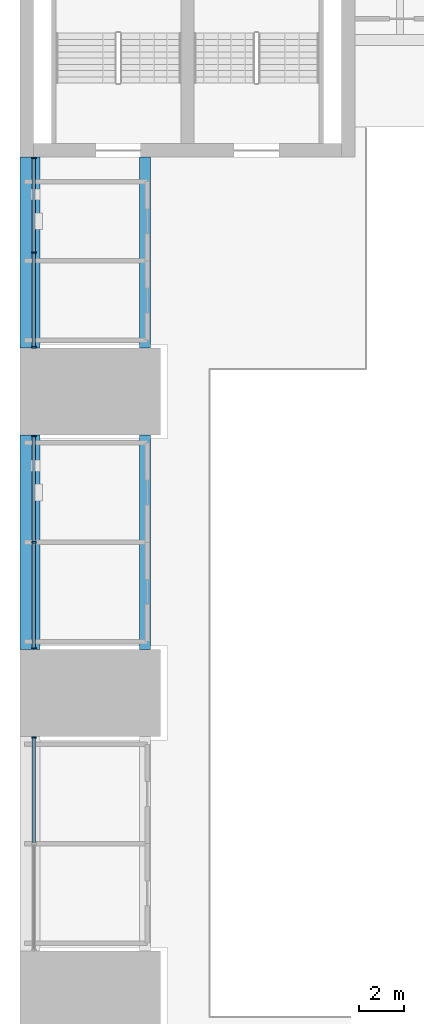
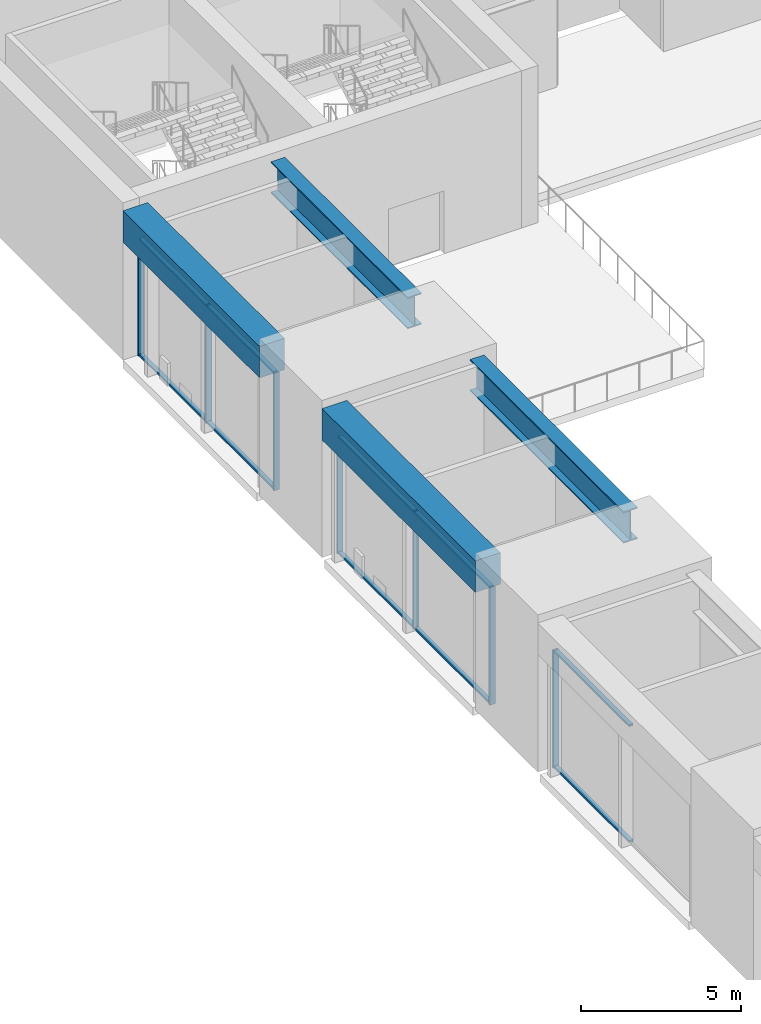
# One storey, part 5 of 41: 17 members, 4 beams, 3 elements without a shape of their own.
"""IFC4 building model written with IfcOpenShell, lengths in metres."""

from ifc_helpers import new_model, si_unit, direction, frame, origin, origin_2d, place, context, subcontext, project, spatial, rectangle, i_section, extrude, material, layer, layer_set, material_profile, profile_set, type_object, element, aggregate, save


model = new_model("IFC4")

# Units and contexts
model_context = context("Model", 3, precision=1e-05, world=origin(), true_north=direction((0.0, 1.0)))
body_context = subcontext(model_context, "Body", "Model", "MODEL_VIEW")
ifc_project = project(units=[si_unit("LENGTHUNIT", "METRE"), si_unit("AREAUNIT", "SQUARE_METRE"), si_unit("VOLUMEUNIT", "CUBIC_METRE"), si_unit("PLANEANGLEUNIT", "RADIAN"), si_unit("MASSUNIT", "GRAM", prefix="KILO")], contexts=[model_context])

# Site, building, storey
site_placement = place(None, origin())
site = spatial("IfcSite", under=ifc_project, at=site_placement, CompositionType="ELEMENT")
building_placement = place(site_placement, origin())
building = spatial("IfcBuilding", under=site, at=building_placement, Name="Corbelhall Arena Tower", CompositionType="ELEMENT")
storey_placement = place(building_placement, frame((0.0, 0.0, 19.0)))
storey = spatial("IfcBuildingStorey", under=building, at=storey_placement, Name="L02", CompositionType="ELEMENT", Elevation=19.0)

# Curtain wall, members
ifc_material_1 = material(Name="Aluminium black anodised", Category="aluminium")
ifc_layer = layer(ifc_material_1, 0.239990234375)
ifc_layer_set = layer_set([ifc_layer], Name="EV-CW4 Arena concourse glazing")
curtain_wall_type = type_object("IfcCurtainWallType", Name="EV-CW4 Arena concourse glazing", PredefinedType="NOTDEFINED", material=ifc_layer_set)
curtain_wall_1_placement = place(storey_placement, origin())
curtain_wall_1 = element("IfcCurtainWall", 1, at=curtain_wall_1_placement, inside=storey, type_object=curtain_wall_type, Name="Curtain wall CW4B", PredefinedType="NOTDEFINED")
ifc_material_profile_1 = material_profile(ifc_material_1, rectangle(XDim=0.199951171875, YDim=0.074951171875, at=origin_2d()))
ifc_profile_set_1 = profile_set([ifc_material_profile_1], Name="Aluminium black anodised")
member_type_1 = type_object("IfcMemberType", Name="EV-CW4-MULLION", PredefinedType="MULLION", material=ifc_profile_set_1)
member_1_placement = place(storey_placement, frame((-47.3798828125, 23.96240234375, 0.0), z_axis=(0.0, 0.0, 1.0), x_axis=(1.0, 0.0, 0.0)))
member_1 = element("IfcMember", 2, at=member_1_placement, type_object=member_type_1, Name="CW4B mullion 1", PredefinedType="MULLION", context=body_context, shape_type="SweptSolid", body=[
    extrude(rectangle(XDim=0.199951171875, YDim=0.074951171875, at=origin_2d()), origin(), (0.0, 0.0, 1.0), 4.5),
])
member_2_placement = place(storey_placement, frame((-47.3798828125, 19.72509765625, 0.0), z_axis=(0.0, 0.0, 1.0), x_axis=(1.0, 0.0, 0.0)))
member_2 = element("IfcMember", 3, at=member_2_placement, type_object=member_type_1, Name="CW4B mullion 2", PredefinedType="MULLION", context=body_context, shape_type="SweptSolid", body=[
    extrude(rectangle(XDim=0.199951171875, YDim=0.074951171875, at=origin_2d()), origin(), (0.0, 0.0, 1.0), 4.5),
])
member_3_placement = place(storey_placement, frame((-47.3798828125, 15.487548828125, 0.0), z_axis=(0.0, 0.0, 1.0), x_axis=(1.0, 0.0, 0.0)))
member_3 = element("IfcMember", 4, at=member_3_placement, type_object=member_type_1, Name="CW4B mullion 3", PredefinedType="MULLION", context=body_context, shape_type="SweptSolid", body=[
    extrude(rectangle(XDim=0.199951171875, YDim=0.074951171875, at=origin_2d()), origin(), (0.0, 0.0, 1.0), 4.5),
])

curtain_wall_2_placement = place(storey_placement, origin())
curtain_wall_2 = element("IfcCurtainWall", 5, at=curtain_wall_2_placement, inside=storey, type_object=curtain_wall_type, Name="Curtain wall CW4", PredefinedType="NOTDEFINED")
member_4_placement = place(storey_placement, frame((-47.3798828125, 11.512451171875, 0.0), z_axis=(0.0, 0.0, 1.0), x_axis=(1.0, 0.0, 0.0)))
member_4 = element("IfcMember", 6, at=member_4_placement, type_object=member_type_1, Name="CW4 mullion 1", PredefinedType="MULLION", context=body_context, shape_type="SweptSolid", body=[
    extrude(rectangle(XDim=0.199951171875, YDim=0.074951171875, at=origin_2d()), origin(), (0.0, 0.0, 1.0), 4.5),
])
member_5_placement = place(storey_placement, frame((-47.3798828125, 6.75, 0.0), z_axis=(0.0, 0.0, 1.0), x_axis=(1.0, 0.0, 0.0)))
member_5 = element("IfcMember", 7, at=member_5_placement, type_object=member_type_1, Name="CW4 mullion 2", PredefinedType="MULLION", context=body_context, shape_type="SweptSolid", body=[
    extrude(rectangle(XDim=0.199951171875, YDim=0.074951171875, at=origin_2d()), origin(), (0.0, 0.0, 1.0), 4.5),
])
member_6_placement = place(storey_placement, frame((-47.3798828125, 1.987548828125, 0.0), z_axis=(0.0, 0.0, 1.0), x_axis=(1.0, 0.0, 0.0)))
member_6 = element("IfcMember", 8, at=member_6_placement, type_object=member_type_1, Name="CW4 mullion 3", PredefinedType="MULLION", context=body_context, shape_type="SweptSolid", body=[
    extrude(rectangle(XDim=0.199951171875, YDim=0.074951171875, at=origin_2d()), origin(), (0.0, 0.0, 1.0), 4.5),
])

# Curtain wall, member
curtain_wall_3_placement = place(storey_placement, origin())
curtain_wall_3 = element("IfcCurtainWall", 9, at=curtain_wall_3_placement, inside=storey, type_object=curtain_wall_type, Name="Curtain wall CW4", PredefinedType="NOTDEFINED")
member_7_placement = place(storey_placement, frame((-47.3798828125, -1.987548828125, 0.0), z_axis=(0.0, 0.0, 1.0), x_axis=(1.0, 0.0, 0.0)))
member_7 = element("IfcMember", 10, at=member_7_placement, type_object=member_type_1, Name="CW4 mullion 1", PredefinedType="MULLION", context=body_context, shape_type="SweptSolid", body=[
    extrude(rectangle(XDim=0.199951171875, YDim=0.074951171875, at=origin_2d()), origin(), (0.0, 0.0, 1.0), 4.5),
])

# Member
ifc_material_profile_2 = material_profile(ifc_material_1, rectangle(XDim=0.14990234375, YDim=0.074951171875, at=origin_2d()))
ifc_profile_set_2 = profile_set([ifc_material_profile_2], Name="Aluminium black anodised")
member_type_2 = type_object("IfcMemberType", Name="EV-CW4-TRANSOM", PredefinedType="USERDEFINED", material=ifc_profile_set_2)
member_8_placement = place(storey_placement, frame((-47.3798828125, 23.925048828125, 0.03759765625), z_axis=(0.0, -1.0, 0.0), x_axis=(1.0, 0.0, 0.0)))
member_8 = element("IfcMember", 11, at=member_8_placement, type_object=member_type_2, Name="CW4B transom 1.1", ObjectType="transom", PredefinedType="USERDEFINED", context=body_context, shape_type="SweptSolid", body=[
    extrude(rectangle(XDim=0.14990234375, YDim=0.074951171875, at=origin_2d()), origin(), (0.0, 0.0, 1.0), 4.16259765625),
])

member_9_placement = place(storey_placement, frame((-47.3798828125, 23.925048828125, 4.46240234375), z_axis=(0.0, -1.0, 0.0), x_axis=(1.0, 0.0, 0.0)))
member_9 = element("IfcMember", 12, at=member_9_placement, type_object=member_type_2, Name="CW4B transom 1.2", ObjectType="transom", PredefinedType="USERDEFINED", context=body_context, shape_type="SweptSolid", body=[
    extrude(rectangle(XDim=0.14990234375, YDim=0.074951171875, at=origin_2d()), origin(), (0.0, 0.0, 1.0), 4.16259765625),
])

member_10_placement = place(storey_placement, frame((-47.3798828125, 19.6875, 0.03759765625), z_axis=(0.0, -1.0, 0.0), x_axis=(1.0, 0.0, 0.0)))
member_10 = element("IfcMember", 13, at=member_10_placement, type_object=member_type_2, Name="CW4B transom 2.1", ObjectType="transom", PredefinedType="USERDEFINED", context=body_context, shape_type="SweptSolid", body=[
    extrude(rectangle(XDim=0.14990234375, YDim=0.074951171875, at=origin_2d()), origin(), (0.0, 0.0, 1.0), 4.16259765625),
])

member_11_placement = place(storey_placement, frame((-47.3798828125, 19.6875, 4.46240234375), z_axis=(0.0, -1.0, 0.0), x_axis=(1.0, 0.0, 0.0)))
member_11 = element("IfcMember", 14, at=member_11_placement, type_object=member_type_2, Name="CW4B transom 2.2", ObjectType="transom", PredefinedType="USERDEFINED", context=body_context, shape_type="SweptSolid", body=[
    extrude(rectangle(XDim=0.14990234375, YDim=0.074951171875, at=origin_2d()), origin(), (0.0, 0.0, 1.0), 4.16259765625),
])

aggregate(curtain_wall_1, [member_1, member_2, member_3, member_8, member_9, member_10, member_11])

member_12_placement = place(storey_placement, frame((-47.3798828125, 11.47509765625, 0.03759765625), z_axis=(0.0, -1.0, 0.0), x_axis=(1.0, 0.0, 0.0)))
member_12 = element("IfcMember", 15, at=member_12_placement, type_object=member_type_2, Name="CW4 transom 1.1", ObjectType="transom", PredefinedType="USERDEFINED", context=body_context, shape_type="SweptSolid", body=[
    extrude(rectangle(XDim=0.14990234375, YDim=0.074951171875, at=origin_2d()), origin(), (0.0, 0.0, 1.0), 4.6875),
])

member_13_placement = place(storey_placement, frame((-47.3798828125, 11.47509765625, 4.46240234375), z_axis=(0.0, -1.0, 0.0), x_axis=(1.0, 0.0, 0.0)))
member_13 = element("IfcMember", 16, at=member_13_placement, type_object=member_type_2, Name="CW4 transom 1.2", ObjectType="transom", PredefinedType="USERDEFINED", context=body_context, shape_type="SweptSolid", body=[
    extrude(rectangle(XDim=0.14990234375, YDim=0.074951171875, at=origin_2d()), origin(), (0.0, 0.0, 1.0), 4.6875),
])

member_14_placement = place(storey_placement, frame((-47.3798828125, 6.71240234375, 0.03759765625), z_axis=(0.0, -1.0, 0.0), x_axis=(1.0, 0.0, 0.0)))
member_14 = element("IfcMember", 17, at=member_14_placement, type_object=member_type_2, Name="CW4 transom 2.1", ObjectType="transom", PredefinedType="USERDEFINED", context=body_context, shape_type="SweptSolid", body=[
    extrude(rectangle(XDim=0.14990234375, YDim=0.074951171875, at=origin_2d()), origin(), (0.0, 0.0, 1.0), 4.6875),
])

member_15_placement = place(storey_placement, frame((-47.3798828125, 6.71240234375, 4.46240234375), z_axis=(0.0, -1.0, 0.0), x_axis=(1.0, 0.0, 0.0)))
member_15 = element("IfcMember", 18, at=member_15_placement, type_object=member_type_2, Name="CW4 transom 2.2", ObjectType="transom", PredefinedType="USERDEFINED", context=body_context, shape_type="SweptSolid", body=[
    extrude(rectangle(XDim=0.14990234375, YDim=0.074951171875, at=origin_2d()), origin(), (0.0, 0.0, 1.0), 4.6875),
])

aggregate(curtain_wall_2, [member_4, member_5, member_6, member_12, member_13, member_14, member_15])

member_16_placement = place(storey_placement, frame((-47.3798828125, -2.02490234375, 0.03759765625), z_axis=(0.0, -1.0, 0.0), x_axis=(1.0, 0.0, 0.0)))
member_16 = element("IfcMember", 19, at=member_16_placement, type_object=member_type_2, Name="CW4 transom 1.1", ObjectType="transom", PredefinedType="USERDEFINED", context=body_context, shape_type="SweptSolid", body=[
    extrude(rectangle(XDim=0.14990234375, YDim=0.074951171875, at=origin_2d()), origin(), (0.0, 0.0, 1.0), 4.6875),
])

member_17_placement = place(storey_placement, frame((-47.3798828125, -2.02490234375, 4.46240234375), z_axis=(0.0, -1.0, 0.0), x_axis=(1.0, 0.0, 0.0)))
member_17 = element("IfcMember", 20, at=member_17_placement, type_object=member_type_2, Name="CW4 transom 1.2", ObjectType="transom", PredefinedType="USERDEFINED", context=body_context, shape_type="SweptSolid", body=[
    extrude(rectangle(XDim=0.14990234375, YDim=0.074951171875, at=origin_2d()), origin(), (0.0, 0.0, 1.0), 4.6875),
])

aggregate(curtain_wall_3, [member_7, member_16, member_17])

# Beams
ifc_material_2 = material(Name="Steel ASTM A572 Gr50", Category="steel")
ifc_material_profile_3 = material_profile(ifc_material_2, i_section(OverallWidth=0.5, OverallDepth=1.199951171875, WebThickness=0.02490234375, FlangeThickness=0.044921875, at=origin_2d()))
ifc_profile_set_3 = profile_set([ifc_material_profile_3], Name="Steel ASTM A572 Gr50")
beam_type_1 = type_object("IfcBeamType", Name="PO-GIRDER-PG1200X500X25X45", PredefinedType="BEAM", material=ifc_profile_set_3)
beam_1_placement = place(storey_placement, frame((-42.39990234375, 1.949951171875, 5.10009765625), z_axis=(0.0, 1.0, 0.0), x_axis=(-1.0, 0.0, 0.0)))
element("IfcBeam", 21, at=beam_1_placement, inside=storey, type_object=beam_type_1, Name="INNER END GIRDER", PredefinedType="BEAM", context=body_context, shape_type="SweptSolid", body=[
    extrude(i_section(OverallWidth=0.5, OverallDepth=1.199951171875, WebThickness=0.02490234375, FlangeThickness=0.044921875, at=origin_2d()), origin(), (0.0, 0.0, 1.0), 9.60009765625),
])
beam_2_placement = place(storey_placement, frame((-42.39990234375, 15.449951171875, 5.10009765625), z_axis=(0.0, 1.0, 0.0), x_axis=(-1.0, 0.0, 0.0)))
element("IfcBeam", 22, at=beam_2_placement, inside=storey, type_object=beam_type_1, Name="INNER END GIRDER", PredefinedType="BEAM", context=body_context, shape_type="SweptSolid", body=[
    extrude(i_section(OverallWidth=0.5, OverallDepth=1.199951171875, WebThickness=0.02490234375, FlangeThickness=0.044921875, at=origin_2d()), origin(), (0.0, 0.0, 1.0), 8.550048828125),
])
ifc_material_3 = material(Name="Concrete C80/95", Category="concrete")
ifc_material_profile_4 = material_profile(ifc_material_3, rectangle(XDim=0.89990234375, YDim=1.199951171875, at=origin_2d()))
ifc_profile_set_4 = profile_set([ifc_material_profile_4], Name="Concrete C80/95")
beam_type_2 = type_object("IfcBeamType", Name="PO-RING-BEAM", PredefinedType="BEAM", material=ifc_profile_set_4)
beam_3_placement = place(storey_placement, frame((-47.550048828125, 1.949951171875, 5.10009765625), z_axis=(0.0, 1.0, 0.0), x_axis=(-1.0, 0.0, 0.0)))
element("IfcBeam", 23, at=beam_3_placement, inside=storey, type_object=beam_type_2, Name="RING GIRDER L03 W3", PredefinedType="BEAM", context=body_context, shape_type="SweptSolid", body=[
    extrude(rectangle(XDim=0.89990234375, YDim=1.199951171875, at=origin_2d()), origin(), (0.0, 0.0, 1.0), 9.60009765625),
])
beam_4_placement = place(storey_placement, frame((-47.550048828125, 15.449951171875, 5.10009765625), z_axis=(0.0, 1.0, 0.0), x_axis=(-1.0, 0.0, 0.0)))
element("IfcBeam", 24, at=beam_4_placement, inside=storey, type_object=beam_type_2, Name="RING GIRDER L03 W4", PredefinedType="BEAM", context=body_context, shape_type="SweptSolid", body=[
    extrude(rectangle(XDim=0.89990234375, YDim=1.199951171875, at=origin_2d()), origin(), (0.0, 0.0, 1.0), 8.550048828125),
])

save(model, "model.ifc")
